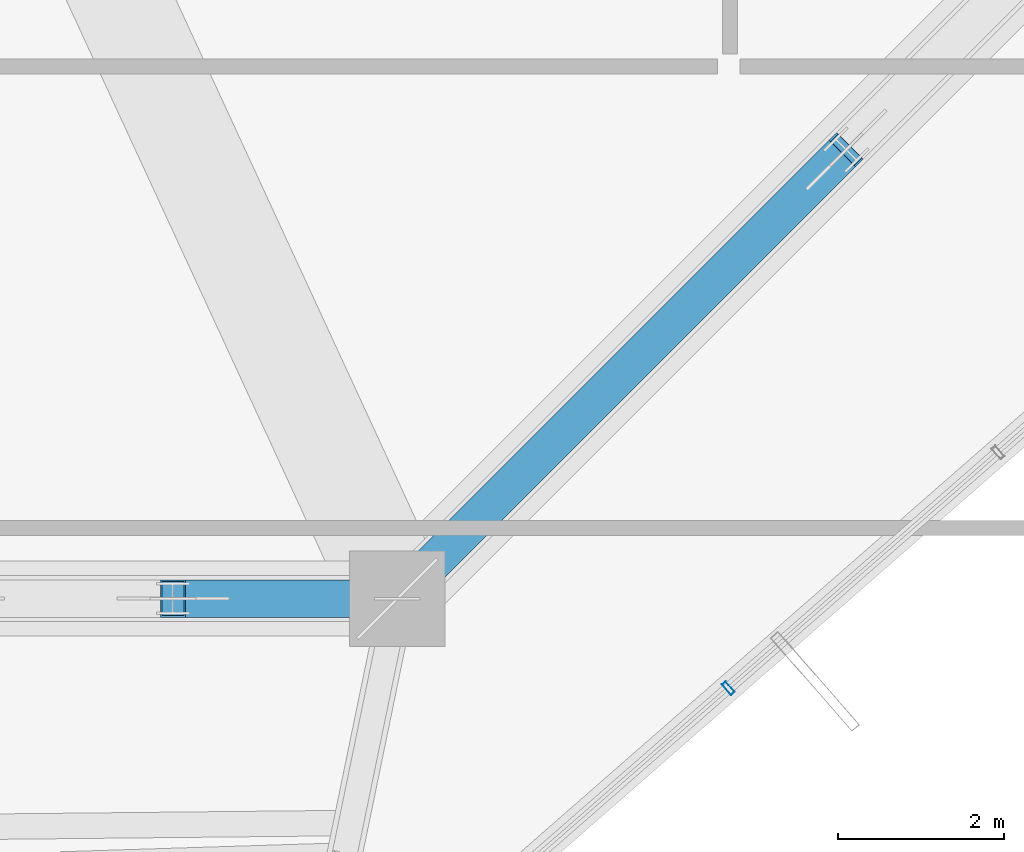
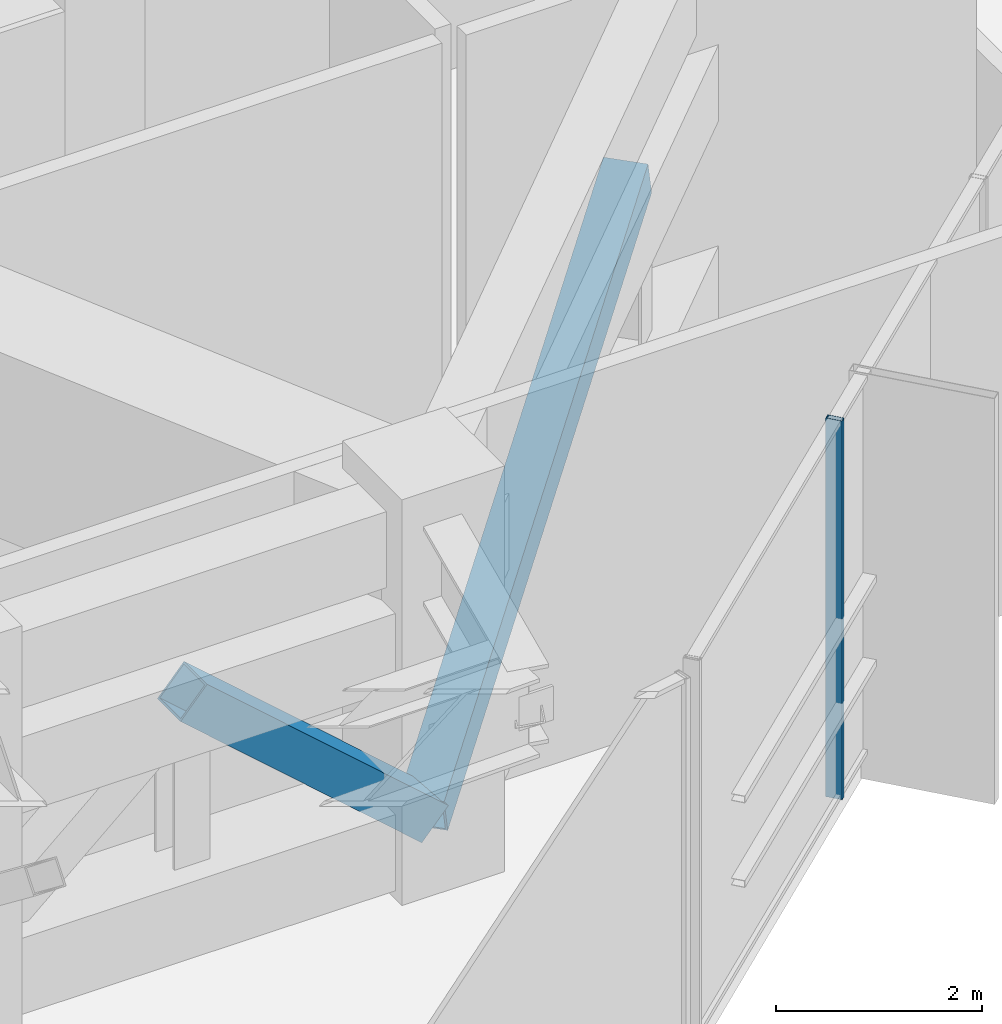
# One storey, part 8 of 36: 3 members, 1 element without a shape of its own.
"""IFC4 building model written with IfcOpenShell, lengths in metres."""

from ifc_helpers import new_model, si_unit, direction, frame, origin, origin_2d, place, context, subcontext, project, spatial, hollow_rectangle, extrude, source, transform, mapped, material, layer, layer_set, material_profile, profile_set, type_object, element, aggregate, save


model = new_model("IFC4")

# Units and contexts
model_context = context("Model", 3, precision=1e-05, world=origin(), true_north=direction((0.0, 1.0)))
body_context = subcontext(model_context, "Body", "Model", "MODEL_VIEW")
ifc_project = project(units=[si_unit("LENGTHUNIT", "METRE"), si_unit("AREAUNIT", "SQUARE_METRE"), si_unit("VOLUMEUNIT", "CUBIC_METRE"), si_unit("PLANEANGLEUNIT", "RADIAN"), si_unit("MASSUNIT", "GRAM", prefix="KILO")], contexts=[model_context])

# Site, building, storey
site_placement = place(None, origin())
site = spatial("IfcSite", under=ifc_project, at=site_placement, CompositionType="ELEMENT")
building_placement = place(site_placement, origin())
building = spatial("IfcBuilding", under=site, at=building_placement, Name="Veraguas Prism Commons", CompositionType="ELEMENT")
storey_placement = place(building_placement, frame((0.0, 0.0, 169.550048828125)))
storey = spatial("IfcBuildingStorey", under=building, at=storey_placement, Name="L48", CompositionType="ELEMENT", Elevation=169.550048828125)

# Members
ifc_material_1 = material(Name="Steel ASTM A500 Grade C", Category="steel")
ifc_material_profile_1 = material_profile(ifc_material_1, hollow_rectangle(XDim=0.449951171875, YDim=0.449951171875, WallThickness=0.02197265625, at=origin_2d()), Name="HSS450X450X22")
ifc_profile_set_1 = profile_set([ifc_material_profile_1], Name="Steel ASTM A500 Grade C")
member_type_1 = type_object("IfcMemberType", Name="Mid Belt Diagonal HSS 450x450x22", PredefinedType="BRACE", material=ifc_profile_set_1)
member_1_placement = place(storey_placement, frame((29.39990234375, 7.800048828125, 0.550048828125), z_axis=(-0.75017230872, 0.0, 0.661242396727), x_axis=(0.0, -1.0, 0.0)))
element("IfcMember", 1, at=member_1_placement, inside=storey, type_object=member_type_1, Name="Perimeter Belt Truss Brace L48-11B", PredefinedType="BRACE", context=body_context, shape_type="SweptSolid", body=[
    extrude(hollow_rectangle(XDim=0.449951171875, YDim=0.449951171875, WallThickness=0.02197265625, at=origin_2d()), origin(), (0.0, 0.0, 1.0), 3.59912109375),
])
member_2_placement = place(storey_placement, frame((29.39990234375, 7.800048828125, 0.550048828125), z_axis=(0.675100753948, 0.675070232643, 0.297521684954), x_axis=(-0.707090796496, 0.707122765516, 0.0)))
element("IfcMember", 2, at=member_2_placement, inside=storey, type_object=member_type_1, Name="Perimeter Belt Truss Brace L48-12A", PredefinedType="BRACE", context=body_context, shape_type="SweptSolid", body=[
    extrude(hollow_rectangle(XDim=0.449951171875, YDim=0.449951171875, WallThickness=0.02197265625, at=origin_2d()), origin(), (0.0, 0.0, 1.0), 7.9990234375),
])

# Curtain wall, member
ifc_material_2 = material(Name="Anodised aluminium EN AW-6063 T6", Category="aluminium")
ifc_layer = layer(ifc_material_2, 0.169921875, Name="Unitised Flush Curtain Wall Zone 2", Category="aluminium")
ifc_layer_set = layer_set([ifc_layer], Name="Anodised aluminium EN AW-6063 T6")
curtain_wall_type = type_object("IfcCurtainWallType", Name="Unitised Flush Curtain Wall Zone 2", PredefinedType="NOTDEFINED", material=ifc_layer_set)
curtain_wall_placement = place(storey_placement, origin())
curtain_wall = element("IfcCurtainWall", 3, at=curtain_wall_placement, inside=storey, type_object=curtain_wall_type, Name="Tower Facade Curtain Wall L48-F5", PredefinedType="NOTDEFINED")
ifc_material_profile_2 = material_profile(ifc_material_2, hollow_rectangle(XDim=0.06005859375, YDim=0.169921875, WallThickness=0.00390625, at=origin_2d()), Name="AL60X170X4")
ifc_profile_set_2 = profile_set([ifc_material_profile_2], Name="Anodised aluminium EN AW-6063 T6")
member_type_2 = type_object("IfcMemberType", Name="Curtain Wall Mullion Lower AL 60x170x4", PredefinedType="MULLION", material=ifc_profile_set_2)
shared_shape = source(origin(), body_context, "Body", "SweptSolid", [
    extrude(hollow_rectangle(XDim=0.06005859375, YDim=0.169921875, WallThickness=0.00390625, at=origin_2d()), origin(), (0.0, 0.0, 1.0), 4.47998046875),
])
member_3_placement = place(storey_placement, frame((33.38134765625, 6.72216796875, 0.0), z_axis=(0.0, 0.0, 1.0), x_axis=(0.752872280062, 0.658166642967, 0.0)))
member_3 = element("IfcMember", 4, at=member_3_placement, type_object=member_type_2, Name="CW-Z2 Mullion 2", PredefinedType="MULLION", context=body_context, shape_type="MappedRepresentation", body=[
    mapped(shared_shape, transform((0.0, 0.0, 0.0), scale=1.0)),
])
aggregate(curtain_wall, [member_3])

save(model, "model.ifc")
